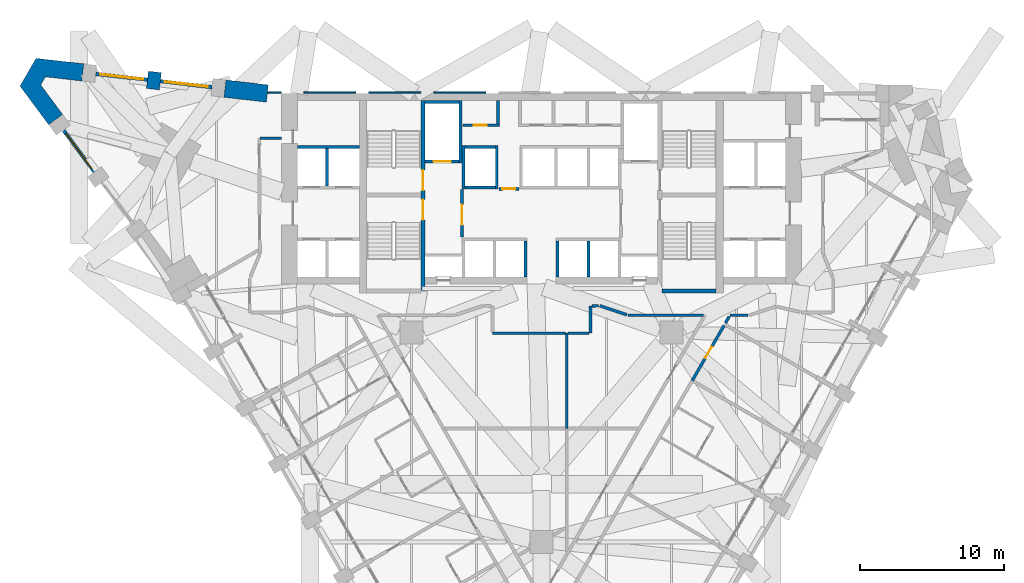
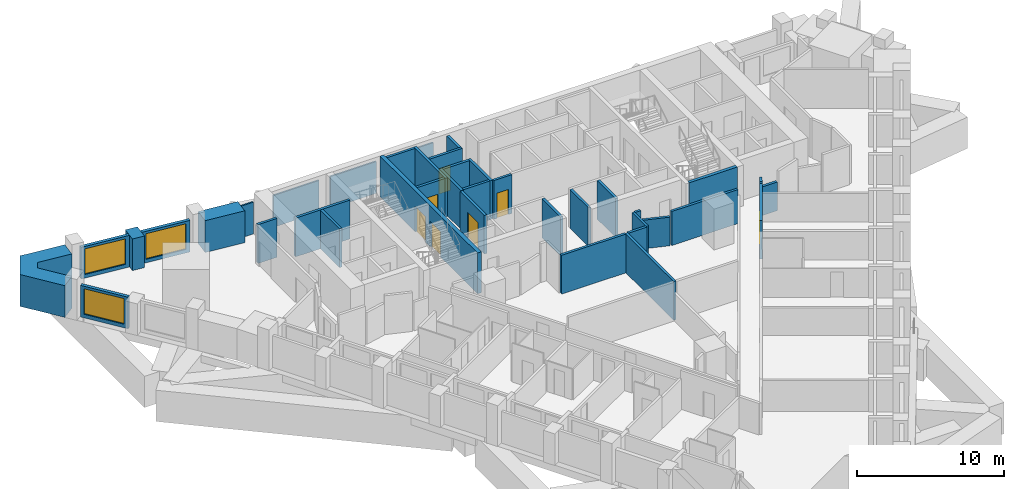
# One storey, part 8 of 12: 39 walls, 7 doors, 3 windows, 10 openings.
"""IFC4 building model written with IfcOpenShell, lengths in metres."""

from ifc_helpers import new_model, si_unit, direction, frame, frame_2d, origin, place, context, subcontext, project, spatial, polyline, rectangle, outline, extrude, material, layer, layer_set, type_object, element, fill, save


model = new_model("IFC4")

# Units and contexts
model_context = context("Model", 3, precision=1e-05, world=origin(), true_north=direction((0.0, 1.0)))
body_context = subcontext(model_context, "Body", "Model", "MODEL_VIEW")
ifc_project = project(units=[si_unit("LENGTHUNIT", "METRE"), si_unit("AREAUNIT", "SQUARE_METRE"), si_unit("VOLUMEUNIT", "CUBIC_METRE"), si_unit("PLANEANGLEUNIT", "RADIAN"), si_unit("MASSUNIT", "GRAM", prefix="KILO")], contexts=[model_context])

# Site, building, storey
site_placement = place(None, origin())
site = spatial("IfcSite", under=ifc_project, at=site_placement, CompositionType="ELEMENT")
building_placement = place(site_placement, origin())
building = spatial("IfcBuilding", under=site, at=building_placement, Name="Calabash Gate Tower", CompositionType="ELEMENT")
storey_placement = place(building_placement, frame((0.0, 0.0, 46.0)))
storey = spatial("IfcBuildingStorey", under=building, at=storey_placement, Name="L06", CompositionType="ELEMENT", Elevation=46.0)

# Walls
ifc_material_1 = material(Name="Terracotta brick masonry, exposed face", Category="masonry")
ifc_layer_1 = layer(ifc_material_1, 1.199951171875)
ifc_layer_set_1 = layer_set([ifc_layer_1], Name="Brick end wall 1200")
wall_type_1 = type_object("IfcWallType", Name="Brick end wall 1200", PredefinedType="SOLIDWALL", material=ifc_layer_set_1)
wall_1_placement = place(storey_placement, frame((-26.90625, 19.35400390625, 0.0), z_axis=(0.0, 0.0, 1.0), x_axis=(0.113936776845, 0.993488002385, 0.0)))
element("IfcWall", 1, at=wall_1_placement, inside=storey, type_object=wall_type_1, Name="Brick pier S01 wedge5.1", PredefinedType="SOLIDWALL", context=body_context, shape_type="SweptSolid", body=[
    extrude(rectangle(XDim=1.199951171875, YDim=0.89990234375, at=frame_2d((0.60009765625, 0.0))), origin(), (0.0, 0.0, 1.0), 2.6298828125),
])
wall_2_placement = place(storey_placement, frame((-21.919921875, 19.386962890625, 0.0), z_axis=(0.0, 0.0, 1.0), x_axis=(0.993507634887, -0.113765457942, 0.0)))
element("IfcWall", 2, at=wall_2_placement, inside=storey, type_object=wall_type_1, Name="Brick end wall S01 1", PredefinedType="SOLIDWALL", context=body_context, shape_type="SweptSolid", body=[
    extrude(rectangle(XDim=2.957275390625, YDim=1.199951171875, at=frame_2d((1.478515625, 0.0))), origin(), (0.0, 0.0, 1.0), 2.64990234375),
])
wall_3_placement = place(storey_placement, origin())
element("IfcWall", 3, at=wall_3_placement, inside=storey, type_object=wall_type_1, Name="Brick end wall S01 2", PredefinedType="SOLIDWALL", context=body_context, shape_type="SweptSolid", body=[
    extrude(outline(polyline([(-31.687744140625, 21.109375), (-34.99853515625, 21.48876953125), (-36.109130859375, 19.5654296875), (-34.125, 16.887451171875), (-33.160888671875, 17.601806640625), (-34.67626953125, 19.647216796875), (-34.35302734375, 20.206787109375), (-31.82421875, 19.917236328125), (-31.687744140625, 21.109375)])), origin(), (0.0, 0.0, 1.0), 2.64990234375),
])
ifc_material_2 = material(Name="Gypsum board on steel studs, mineral wool", Category="steel")
ifc_layer_2 = layer(ifc_material_2, 0.199951171875)
ifc_layer_set_2 = layer_set([ifc_layer_2], Name="Core partition 200 gypsum board")
wall_type_2 = type_object("IfcWallType", Name="Core partition 200 gypsum board", PredefinedType="PARTITIONING", material=ifc_layer_set_2)
wall_4_placement = place(storey_placement, frame((-3.0, 16.95263671875, 0.0), z_axis=(0.0, 0.0, 1.0), x_axis=(0.0, 1.0, 0.0)))
element("IfcWall", 4, at=wall_4_placement, inside=storey, type_object=wall_type_2, Name="Core partition", PredefinedType="PARTITIONING", context=body_context, shape_type="SweptSolid", body=[
    extrude(rectangle(XDim=1.599853515625, YDim=0.199951171875, at=frame_2d((0.7998046875, 0.0))), origin(), (0.0, 0.0, 1.0), 3.22998046875),
])
ifc_material_3 = material(Name="Concrete C80/95", Category="concrete")
ifc_layer_3 = layer(ifc_material_3, 0.25)
ifc_layer_set_3 = layer_set([ifc_layer_3], Name="Core wall 250 Concrete C80/95")
wall_type_3 = type_object("IfcWallType", Name="Core wall 250 Concrete C80/95", PredefinedType="SHEAR", material=ifc_layer_set_3)
wall_5_placement = place(storey_placement, frame((8.35009765625, 5.377685546875, 0.0), z_axis=(0.0, 0.0, 1.0), x_axis=(1.0, 0.0, 0.0)))
element("IfcWall", 5, at=wall_5_placement, inside=storey, type_object=wall_type_3, Name="Core wall Z1-SSE L06", PredefinedType="SHEAR", context=body_context, shape_type="SweptSolid", body=[
    extrude(rectangle(XDim=3.75, YDim=0.25, at=frame_2d((1.875, 0.0))), origin(), (0.0, 0.0, 1.0), 3.39990234375),
])

# Wall, openings, doors
ifc_material_4 = material(Name="Concrete C80/95", Category="concrete")
ifc_layer_4 = layer(ifc_material_4, 0.300048828125)
ifc_layer_set_4 = layer_set([ifc_layer_4], Name="Core wall 300 Concrete C80/95")
wall_type_4 = type_object("IfcWallType", Name="Core wall 300 Concrete C80/95", PredefinedType="SHEAR", material=ifc_layer_set_4)
wall_6_placement = place(storey_placement, frame((-8.199951171875, 5.252685546875, 0.0), z_axis=(0.0, 0.0, 1.0), x_axis=(0.0, 1.0, 0.0)))
wall_6 = element("IfcWall", 6, at=wall_6_placement, inside=storey, type_object=wall_type_4, Name="Core wall Z1-PARTW L06", PredefinedType="SHEAR", context=body_context, shape_type="SweptSolid", body=[
    extrude(rectangle(XDim=13.2998046875, YDim=0.300048828125, at=frame_2d((6.64990234375, 0.0))), origin(), (0.0, 0.0, 1.0), 3.39990234375),
])
opening_1_placement = place(wall_6_placement, frame((7.10009765625, 0.0, 0.0)))
opening_1 = element("IfcOpeningElement", 7, at=opening_1_placement, cuts=wall_6, Name="Opening H1-014", PredefinedType="OPENING", context=body_context, shape_type="SweptSolid", body=[
    extrude(rectangle(XDim=1.39990234375, YDim=2.10009765625, at=frame_2d((0.699951171875, 1.050048828125))), frame((0.0, 0.159912109375, 0.0), z_axis=(0.0, -1.0, 0.0), x_axis=(1.0, 0.0, 0.0)), (0.0, 0.0, 1.0), 0.320068359375),
])
opening_2_placement = place(wall_6_placement, frame((5.050048828125, 0.0, 0.0)))
opening_2 = element("IfcOpeningElement", 8, at=opening_2_placement, cuts=wall_6, Name="Opening H1-015", PredefinedType="OPENING", context=body_context, shape_type="SweptSolid", body=[
    extrude(rectangle(XDim=1.39990234375, YDim=2.10009765625, at=frame_2d((0.699951171875, 1.050048828125))), frame((0.0, 0.159912109375, 0.0), z_axis=(0.0, -1.0, 0.0), x_axis=(1.0, 0.0, 0.0)), (0.0, 0.0, 1.0), 0.320068359375),
])
ifc_material_5 = material(Name="Steel fire door set with fire-resisting glazing", Category="steel")
door_type_1 = type_object("IfcDoorType", Name="Fire door D05 1400x2100 FD90", OperationType="NOTDEFINED", PredefinedType="DOOR", material=ifc_material_5)
door_1_placement = place(opening_1_placement, origin())
door_1 = element("IfcDoor", 9, at=door_1_placement, inside=storey, type_object=door_type_1, Name="Exit stair door ST1", OperationType="SINGLE_SWING_LEFT", OverallHeight=2.10009765625, OverallWidth=1.39990234375, PredefinedType="DOOR", context=body_context, shape_type="SweptSolid", body=[
    extrude(rectangle(XDim=1.39990234375, YDim=2.10009765625, at=frame_2d((0.699951171875, 1.050048828125))), frame((0.0, 0.02490234375, 0.0), z_axis=(0.0, -1.0, 0.0), x_axis=(1.0, 0.0, 0.0)), (0.0, 0.0, 1.0), 0.050048828125),
])
fill(opening_1, door_1)
door_2_placement = place(opening_2_placement, origin())
door_2 = element("IfcDoor", 10, at=door_2_placement, inside=storey, type_object=door_type_1, Name="Exit stair door ST2", OperationType="SINGLE_SWING_LEFT", OverallHeight=2.10009765625, OverallWidth=1.39990234375, PredefinedType="DOOR", context=body_context, shape_type="SweptSolid", body=[
    extrude(rectangle(XDim=1.39990234375, YDim=2.10009765625, at=frame_2d((0.699951171875, 1.050048828125))), frame((0.0, 0.02490234375, 0.0), z_axis=(0.0, -1.0, 0.0), x_axis=(1.0, 0.0, 0.0)), (0.0, 0.0, 1.0), 0.050048828125),
])
fill(opening_2, door_2)

# Walls
ifc_material_6 = material(Name="Gypsum board on steel studs, mineral wool", Category="steel")
ifc_layer_5 = layer(ifc_material_6, 0.199951171875)
ifc_layer_set_5 = layer_set([ifc_layer_5], Name="Partition 200 gypsum board EI 60")
wall_type_5 = type_object("IfcWallType", Name="Partition 200 gypsum board EI 60", PredefinedType="PARTITIONING", material=ifc_layer_set_5)
wall_7_placement = place(storey_placement, frame((-3.400146484375, 2.452392578125, 0.0), z_axis=(0.0, 0.0, 1.0), x_axis=(0.99999994274, -0.000338409456, 0.0)))
element("IfcWall", 11, at=wall_7_placement, inside=storey, type_object=wall_type_5, Name="Partition", PredefinedType="PARTITIONING", context=body_context, shape_type="SweptSolid", body=[
    extrude(rectangle(XDim=5.050048828125, YDim=0.199951171875, at=frame_2d((2.52490234375, 0.0))), origin(), (0.0, 0.0, 1.0), 3.22998046875),
])
wall_8_placement = place(storey_placement, frame((1.750244140625, -4.15576171875, 0.0), z_axis=(0.0, 0.0, 1.0), x_axis=(0.000258617496, 0.999999966558, 0.0)))
element("IfcWall", 12, at=wall_8_placement, inside=storey, type_object=wall_type_5, Name="Partition", PredefinedType="PARTITIONING", context=body_context, shape_type="SweptSolid", body=[
    extrude(rectangle(XDim=6.608154296875, YDim=0.199951171875, at=frame_2d((3.30419921875, 0.0))), origin(), (0.0, 0.0, 1.0), 3.22998046875),
])
wall_9_placement = place(storey_placement, frame((1.85009765625, 2.45068359375, 0.0), z_axis=(0.0, 0.0, 1.0), x_axis=(0.999999305627, 0.00117845036, 0.0)))
element("IfcWall", 13, at=wall_9_placement, inside=storey, type_object=wall_type_5, Name="Partition", PredefinedType="PARTITIONING", context=body_context, shape_type="SweptSolid", body=[
    extrude(rectangle(XDim=1.4501953125, YDim=0.199951171875, at=frame_2d((0.72509765625, 0.0))), origin(), (0.0, 0.0, 1.0), 3.22998046875),
])

# Wall, opening, door
wall_10_placement = place(storey_placement, frame((10.43896484375, -0.828369140625, 0.0), z_axis=(0.0, 0.0, 1.0), x_axis=(0.500013981145, 0.866017331616, 0.0)))
wall_10 = element("IfcWall", 14, at=wall_10_placement, inside=storey, type_object=wall_type_5, Name="Partition", PredefinedType="PARTITIONING", context=body_context, shape_type="SweptSolid", body=[
    extrude(rectangle(XDim=4.397705078125, YDim=0.199951171875, at=frame_2d((2.19873046875, 0.0))), origin(), (0.0, 0.0, 1.0), 3.22998046875),
])
opening_3_placement = place(wall_10_placement, frame((1.798095703125, 0.0, 0.0)))
opening_3 = element("IfcOpeningElement", 15, at=opening_3_placement, cuts=wall_10, Name="Opening 06-08-013", PredefinedType="OPENING", context=body_context, shape_type="SweptSolid", body=[
    extrude(rectangle(XDim=0.89990234375, YDim=2.10009765625, at=frame_2d((0.449951171875, 1.050048828125))), frame((0.0, 0.10986328125, 0.0), z_axis=(0.0, -1.0, 0.0), x_axis=(1.0, 0.0, 0.0)), (0.0, 0.0, 1.0), 0.219970703125),
])
ifc_material_7 = material(Name="Steel fire door set with fire-resisting glazing", Category="steel")
door_type_2 = type_object("IfcDoorType", Name="SD3 Store door 900x2100", OperationType="NOTDEFINED", PredefinedType="DOOR", material=ifc_material_7)
door_3_placement = place(opening_3_placement, origin())
door_3 = element("IfcDoor", 16, at=door_3_placement, inside=storey, type_object=door_type_2, Name="Store door", OperationType="SINGLE_SWING_LEFT", OverallHeight=2.10009765625, OverallWidth=0.89990234375, PredefinedType="DOOR", context=body_context, shape_type="SweptSolid", body=[
    extrude(rectangle(XDim=0.89990234375, YDim=2.10009765625, at=frame_2d((0.449951171875, 1.050048828125))), frame((0.0, 0.02490234375, 0.0), z_axis=(0.0, -1.0, 0.0), x_axis=(1.0, 0.0, 0.0)), (0.0, 0.0, 1.0), 0.050048828125),
])
fill(opening_3, door_3)

# Walls
wall_11_placement = place(storey_placement, frame((12.738037109375, 3.154052734375, 0.0), z_axis=(0.0, 0.0, 1.0), x_axis=(0.497976793054, 0.867190356023, 0.0)))
element("IfcWall", 17, at=wall_11_placement, inside=storey, type_object=wall_type_5, Name="Partition", PredefinedType="PARTITIONING", context=body_context, shape_type="SweptSolid", body=[
    extrude(rectangle(XDim=0.529052734375, YDim=0.199951171875, at=frame_2d((0.2646484375, 0.0))), origin(), (0.0, 0.0, 1.0), 3.22998046875),
])
wall_12_placement = place(storey_placement, frame((6.0, 3.69970703125, 0.0), z_axis=(0.0, 0.0, 1.0), x_axis=(1.0, 0.0, 0.0)))
element("IfcWall", 18, at=wall_12_placement, inside=storey, type_object=wall_type_5, Name="Partition", PredefinedType="PARTITIONING", context=body_context, shape_type="SweptSolid", body=[
    extrude(rectangle(XDim=5.21875, YDim=0.199951171875, at=frame_2d((2.609375, 0.0))), origin(), (0.0, 0.0, 1.0), 2.83154296875),
])
wall_13_placement = place(storey_placement, frame((13.051513671875, 3.699462890625, 0.0), z_axis=(0.0, 0.0, 1.0), x_axis=(1.0, 0.0, 0.0)))
element("IfcWall", 19, at=wall_13_placement, inside=storey, type_object=wall_type_5, Name="Partition", PredefinedType="PARTITIONING", context=body_context, shape_type="SweptSolid", body=[
    extrude(rectangle(XDim=1.24853515625, YDim=0.199951171875, at=frame_2d((0.624267578125, 0.0))), origin(), (0.0, 0.0, 1.0), 2.384033203125),
])
wall_14_placement = place(storey_placement, frame((4.042236328125, 4.352294921875, 0.0), z_axis=(0.0, 0.0, 1.0), x_axis=(0.948695731075, -0.316190464499, 0.0)))
element("IfcWall", 20, at=wall_14_placement, inside=storey, type_object=wall_type_5, Name="Partition", PredefinedType="PARTITIONING", context=body_context, shape_type="SweptSolid", body=[
    extrude(rectangle(XDim=1.963623046875, YDim=0.199951171875, at=frame_2d((0.98193359375, 0.0))), origin(), (0.0, 0.0, 1.0), 2.384033203125),
])
wall_15_placement = place(storey_placement, frame((3.400146484375, 2.452392578125, 0.0), z_axis=(0.0, 0.0, 1.0), x_axis=(0.001028938362, 0.999999470643, 0.0)))
element("IfcWall", 21, at=wall_15_placement, inside=storey, type_object=wall_type_5, Name="Partition", PredefinedType="PARTITIONING", context=body_context, shape_type="SweptSolid", body=[
    extrude(rectangle(XDim=1.898193359375, YDim=0.199951171875, at=frame_2d((0.94921875, 0.0))), origin(), (0.0, 0.0, 1.0), 3.22998046875),
])
wall_16_placement = place(storey_placement, frame((3.501953125, 4.350830078125, 0.0), z_axis=(0.0, 0.0, 1.0), x_axis=(0.999996159087, 0.00277160798, 0.0)))
element("IfcWall", 22, at=wall_16_placement, inside=storey, type_object=wall_type_5, Name="Partition", PredefinedType="PARTITIONING", context=body_context, shape_type="SweptSolid", body=[
    extrude(rectangle(XDim=0.4404296875, YDim=0.199951171875, at=frame_2d((0.22021484375, 0.0))), origin(), (0.0, 0.0, 1.0), 3.22998046875),
])
wall_17_placement = place(storey_placement, frame((-19.50048828125, 15.95263671875, 0.0), z_axis=(0.0, 0.0, 1.0), x_axis=(0.999999152842, 0.001301658513, 0.0)))
element("IfcWall", 23, at=wall_17_placement, inside=storey, type_object=wall_type_5, Name="Partition", PredefinedType="PARTITIONING", context=body_context, shape_type="SweptSolid", body=[
    extrude(rectangle(XDim=1.50048828125, YDim=0.199951171875, at=frame_2d((0.750244140625, 0.0))), origin(), (0.0, 0.0, 1.0), 3.22998046875),
])

# Wall, opening, window
ifc_material_8 = material(Name="Aluminium framed window wall with insulated spandrel", Category="aluminium")
ifc_layer_6 = layer(ifc_material_8, 0.25)
ifc_layer_set_6 = layer_set([ifc_layer_6], Name="Prow window wall 250")
wall_type_6 = type_object("IfcWallType", Name="Prow window wall 250", PredefinedType="ELEMENTEDWALL", material=ifc_layer_set_6)
wall_18_placement = place(storey_placement, frame((-22.814208984375, 19.4892578125, 0.0), z_axis=(0.0, 0.0, 1.0), x_axis=(-0.993504225498, 0.113795228013, 0.0)))
wall_18 = element("IfcWall", 24, at=wall_18_placement, inside=storey, type_object=wall_type_6, Name="Prow window wall S01 wedge5.1", PredefinedType="ELEMENTEDWALL", context=body_context, shape_type="SweptSolid", body=[
    extrude(rectangle(XDim=3.60009765625, YDim=0.25, at=frame_2d((1.800048828125, 0.0))), origin(), (0.0, 0.0, 1.0), 2.6298828125),
])
opening_4_placement = place(wall_18_placement, frame((0.300048828125, 0.0, 0.300048828125)))
opening_4 = element("IfcOpeningElement", 25, at=opening_4_placement, cuts=wall_18, Name="Opening WP1L-2130", PredefinedType="OPENING", context=body_context, shape_type="SweptSolid", body=[
    extrude(rectangle(XDim=3.0, YDim=2.1298828125, at=frame_2d((1.5, 1.06494140625))), frame((0.0, 0.135009765625, 0.0), z_axis=(0.0, -1.0, 0.0), x_axis=(1.0, 0.0, 0.0)), (0.0, 0.0, 1.0), 0.27001953125),
])
ifc_material_9 = material(Name="Anodised aluminium frame, bronze finish, impact-rated laminated clear glazing", Category="aluminium")
window_type = type_object("IfcWindowType", Name="Window WP1L 3000x2130", PartitioningType="DOUBLE_PANEL_VERTICAL", PredefinedType="WINDOW", material=ifc_material_9)
window_1_placement = place(opening_4_placement, origin())
window_1 = element("IfcWindow", 26, at=window_1_placement, inside=storey, type_object=window_type, Name="Prow window WP1L S01 wedge5.1", OverallHeight=2.1298828125, OverallWidth=3.0, PartitioningType="SINGLE_PANEL", PredefinedType="WINDOW", context=body_context, shape_type="SweptSolid", body=[
    extrude(rectangle(XDim=3.0, YDim=2.1298828125, at=frame_2d((1.5, 1.06494140625))), frame((0.0, 0.030029296875, 0.0), z_axis=(0.0, -1.0, 0.0), x_axis=(1.0, 0.0, 0.0)), (0.0, 0.0, 1.0), 0.06005859375),
])
fill(opening_4, window_1)

wall_19_placement = place(storey_placement, frame((-27.284912109375, 20.00146484375, 0.0), z_axis=(0.0, 0.0, 1.0), x_axis=(-0.993511890309, 0.113728289423, 0.0)))
wall_19 = element("IfcWall", 27, at=wall_19_placement, inside=storey, type_object=wall_type_6, Name="Prow window wall S01 wedge5.2", PredefinedType="ELEMENTEDWALL", context=body_context, shape_type="SweptSolid", body=[
    extrude(rectangle(XDim=3.60009765625, YDim=0.25, at=frame_2d((1.800048828125, 0.0))), origin(), (0.0, 0.0, 1.0), 2.6298828125),
])
opening_5_placement = place(wall_19_placement, frame((0.300048828125, 0.0, 0.300048828125)))
opening_5 = element("IfcOpeningElement", 28, at=opening_5_placement, cuts=wall_19, Name="Opening WP1L-2130", PredefinedType="OPENING", context=body_context, shape_type="SweptSolid", body=[
    extrude(rectangle(XDim=3.0, YDim=2.1298828125, at=frame_2d((1.5, 1.06494140625))), frame((0.0, 0.135009765625, 0.0), z_axis=(0.0, -1.0, 0.0), x_axis=(1.0, 0.0, 0.0)), (0.0, 0.0, 1.0), 0.27001953125),
])
window_2_placement = place(opening_5_placement, origin())
window_2 = element("IfcWindow", 29, at=window_2_placement, inside=storey, type_object=window_type, Name="Prow window WP1L S01 wedge5.2", OverallHeight=2.1298828125, OverallWidth=3.0, PartitioningType="SINGLE_PANEL", PredefinedType="WINDOW", context=body_context, shape_type="SweptSolid", body=[
    extrude(rectangle(XDim=3.0, YDim=2.1298828125, at=frame_2d((1.5, 1.06494140625))), frame((0.0, 0.030029296875, 0.0), z_axis=(0.0, -1.0, 0.0), x_axis=(1.0, 0.0, 0.0)), (0.0, 0.0, 1.0), 0.06005859375),
])
fill(opening_5, window_2)

wall_20_placement = place(storey_placement, frame((-33.077392578125, 16.481201171875, 0.0), z_axis=(0.0, 0.0, 1.0), x_axis=(0.595304805086, -0.803499962067, 0.0)))
wall_20 = element("IfcWall", 30, at=wall_20_placement, inside=storey, type_object=wall_type_6, Name="Prow window wall S01 wedge7.1", PredefinedType="ELEMENTEDWALL", context=body_context, shape_type="SweptSolid", body=[
    extrude(rectangle(XDim=3.552001953125, YDim=0.25, at=frame_2d((1.77587890625, 0.0))), origin(), (0.0, 0.0, 1.0), 2.6298828125),
])
opening_6_placement = place(wall_20_placement, frame((0.25, 0.0, 0.300048828125)))
opening_6 = element("IfcOpeningElement", 31, at=opening_6_placement, cuts=wall_20, Name="Opening WP1L-2130", PredefinedType="OPENING", context=body_context, shape_type="SweptSolid", body=[
    extrude(rectangle(XDim=3.0, YDim=2.1298828125, at=frame_2d((1.5, 1.06494140625))), frame((0.0, 0.135009765625, 0.0), z_axis=(0.0, -1.0, 0.0), x_axis=(1.0, 0.0, 0.0)), (0.0, 0.0, 1.0), 0.27001953125),
])
window_3_placement = place(opening_6_placement, origin())
window_3 = element("IfcWindow", 32, at=window_3_placement, inside=storey, type_object=window_type, Name="Prow window WP1L S01 wedge7.1", OverallHeight=2.1298828125, OverallWidth=3.0, PartitioningType="SINGLE_PANEL", PredefinedType="WINDOW", context=body_context, shape_type="SweptSolid", body=[
    extrude(rectangle(XDim=3.0, YDim=2.1298828125, at=frame_2d((1.5, 1.06494140625))), frame((0.0, 0.030029296875, 0.0), z_axis=(0.0, -1.0, 0.0), x_axis=(1.0, 0.0, 0.0)), (0.0, 0.0, 1.0), 0.06005859375),
])
fill(opening_6, window_3)

# Walls
ifc_material_10 = material(Name="Concrete C40/50", Category="concrete")
ifc_layer_7 = layer(ifc_material_10, 0.199951171875)
ifc_layer_set_7 = layer_set([ifc_layer_7], Name="Shaft wall 200 Concrete C40/50")
wall_type_7 = type_object("IfcWallType", Name="Shaft wall 200 Concrete C40/50", PredefinedType="SOLIDWALL", material=ifc_layer_set_7)
for number, where, z_axis, x_axis, name in (
    (33, (-1.10009765625, 6.3525390625, 0.0), (0.0, 0.0, 1.0), (0.0, 1.0, 0.0), "Shaft wall"),
    (34, (1.10009765625, 6.3525390625, 0.0), (0.0, 0.0, 1.0), (0.0, 1.0, 0.0), "Shaft wall"),
    (35, (3.25, 6.3525390625, 0.0), (0.0, 0.0, 1.0), (0.0, 1.0, 0.0), "Shaft wall"),
):
    element("IfcWall", number, at=place(storey_placement, frame(where, z_axis=z_axis, x_axis=x_axis)), inside=storey, type_object=wall_type_7, Name=name, PredefinedType="SOLIDWALL", context=body_context, shape_type="SweptSolid", body=[
        extrude(rectangle(XDim=2.5, YDim=0.199951171875, at=frame_2d((1.25, 0.0))), origin(), (0.0, 0.0, 1.0), 3.22998046875),
    ])

# Wall, opening, door
wall_21_placement = place(storey_placement, frame((-5.5, 9.1025390625, 0.0), z_axis=(0.0, 0.0, 1.0), x_axis=(0.0, 1.0, 0.0)))
wall_21 = element("IfcWall", 36, at=wall_21_placement, inside=storey, type_object=wall_type_7, Name="Shaft wall", PredefinedType="SOLIDWALL", context=body_context, shape_type="SweptSolid", body=[
    extrude(rectangle(XDim=3.300048828125, YDim=0.199951171875, at=frame_2d((1.64990234375, 0.0))), origin(), (0.0, 0.0, 1.0), 3.22998046875),
])
opening_7_placement = place(wall_21_placement, frame((0.85009765625, 0.0, 0.0)))
opening_7 = element("IfcOpeningElement", 37, at=opening_7_placement, cuts=wall_21, Name="Opening H1-007", PredefinedType="OPENING", context=body_context, shape_type="SweptSolid", body=[
    extrude(rectangle(XDim=1.39990234375, YDim=2.10009765625, at=frame_2d((0.699951171875, 1.050048828125))), frame((0.0, 0.10986328125, 0.0), z_axis=(0.0, -1.0, 0.0), x_axis=(1.0, 0.0, 0.0)), (0.0, 0.0, 1.0), 0.219970703125),
])
door_4_placement = place(opening_7_placement, origin())
door_4 = element("IfcDoor", 38, at=door_4_placement, inside=storey, type_object=door_type_1, Name="Firefighting Lobby W door", OperationType="SINGLE_SWING_RIGHT", OverallHeight=2.10009765625, OverallWidth=1.39990234375, PredefinedType="DOOR", context=body_context, shape_type="SweptSolid", body=[
    extrude(rectangle(XDim=1.39990234375, YDim=2.10009765625, at=frame_2d((0.699951171875, 1.050048828125))), frame((0.0, 0.02490234375, 0.0), z_axis=(0.0, -1.0, 0.0), x_axis=(1.0, 0.0, 0.0)), (0.0, 0.0, 1.0), 0.050048828125),
])
fill(opening_7, door_4)

wall_22_placement = place(storey_placement, frame((-2.949951171875, 12.45263671875, 0.0), z_axis=(0.0, 0.0, 1.0), x_axis=(1.0, 0.0, 0.0)))
wall_22 = element("IfcWall", 39, at=wall_22_placement, inside=storey, type_object=wall_type_7, Name="Shaft wall", PredefinedType="SOLIDWALL", context=body_context, shape_type="SweptSolid", body=[
    extrude(rectangle(XDim=1.39990234375, YDim=0.199951171875, at=frame_2d((0.699951171875, 0.0))), origin(), (0.0, 0.0, 1.0), 3.22998046875),
])
opening_8_placement = place(wall_22_placement, frame((0.25, 0.0, 0.0)))
opening_8 = element("IfcOpeningElement", 40, at=opening_8_placement, cuts=wall_22, Name="Opening H1-005", PredefinedType="OPENING", context=body_context, shape_type="SweptSolid", body=[
    extrude(rectangle(XDim=0.89990234375, YDim=2.10009765625, at=frame_2d((0.449951171875, 1.050048828125))), frame((0.0, 0.10986328125, 0.0), z_axis=(0.0, -1.0, 0.0), x_axis=(1.0, 0.0, 0.0)), (0.0, 0.0, 1.0), 0.219970703125),
])
ifc_material_11 = material(Name="Steel fire door set with fire-resisting glazing", Category="steel")
door_type_3 = type_object("IfcDoorType", Name="Fire door D06 900x2100 FD60", OperationType="NOTDEFINED", PredefinedType="DOOR", material=ifc_material_11)
door_5_placement = place(opening_8_placement, origin())
door_5 = element("IfcDoor", 41, at=door_5_placement, inside=storey, type_object=door_type_3, Name="Service Corridor door", OperationType="SINGLE_SWING_RIGHT", OverallHeight=2.10009765625, OverallWidth=0.89990234375, PredefinedType="DOOR", context=body_context, shape_type="SweptSolid", body=[
    extrude(rectangle(XDim=0.89990234375, YDim=2.10009765625, at=frame_2d((0.449951171875, 1.050048828125))), frame((0.0, 0.02490234375, 0.0), z_axis=(0.0, -1.0, 0.0), x_axis=(1.0, 0.0, 0.0)), (0.0, 0.0, 1.0), 0.050048828125),
])
fill(opening_8, door_5)

# Walls
wall_23_placement = place(storey_placement, frame((-5.39990234375, 12.45263671875, 0.0), z_axis=(0.0, 0.0, 1.0), x_axis=(0.0, 1.0, 0.0)))
element("IfcWall", 42, at=wall_23_placement, inside=storey, type_object=wall_type_7, Name="Shaft wall", PredefinedType="SOLIDWALL", context=body_context, shape_type="SweptSolid", body=[
    extrude(rectangle(XDim=3.0, YDim=0.199951171875, at=frame_2d((1.5, 0.0))), origin(), (0.0, 0.0, 1.0), 3.22998046875),
])
wall_24_placement = place(storey_placement, frame((-5.300048828125, 12.552490234375, 0.0), z_axis=(0.0, 0.0, 1.0), x_axis=(1.0, 0.0, 0.0)))
element("IfcWall", 43, at=wall_24_placement, inside=storey, type_object=wall_type_7, Name="Shaft wall", PredefinedType="SOLIDWALL", context=body_context, shape_type="SweptSolid", body=[
    extrude(rectangle(XDim=2.10009765625, YDim=0.199951171875, at=frame_2d((1.050048828125, 0.0))), origin(), (0.0, 0.0, 1.0), 3.22998046875),
])
wall_25_placement = place(storey_placement, frame((-3.10009765625, 12.45263671875, 0.0), z_axis=(0.0, 0.0, 1.0), x_axis=(0.0, 1.0, 0.0)))
element("IfcWall", 44, at=wall_25_placement, inside=storey, type_object=wall_type_7, Name="Shaft wall", PredefinedType="SOLIDWALL", context=body_context, shape_type="SweptSolid", body=[
    extrude(rectangle(XDim=3.0, YDim=0.199951171875, at=frame_2d((1.5, 0.0))), origin(), (0.0, 0.0, 1.0), 3.22998046875),
])
wall_26_placement = place(storey_placement, frame((-14.85009765625, 12.652587890625, 0.0), z_axis=(0.0, 0.0, 1.0), x_axis=(0.0, 1.0, 0.0)))
element("IfcWall", 45, at=wall_26_placement, inside=storey, type_object=wall_type_7, Name="Shaft wall", PredefinedType="SOLIDWALL", context=body_context, shape_type="SweptSolid", body=[
    extrude(rectangle(XDim=2.60009765625, YDim=0.199951171875, at=frame_2d((1.300048828125, 0.0))), origin(), (0.0, 0.0, 1.0), 3.22998046875),
])

# Wall, opening, door
wall_27_placement = place(storey_placement, frame((-8.050048828125, 14.3525390625, 0.0), z_axis=(0.0, 0.0, 1.0), x_axis=(1.0, 0.0, 0.0)))
wall_27 = element("IfcWall", 46, at=wall_27_placement, inside=storey, type_object=wall_type_7, Name="Shaft wall", PredefinedType="SOLIDWALL", context=body_context, shape_type="SweptSolid", body=[
    extrude(rectangle(XDim=2.35009765625, YDim=0.199951171875, at=frame_2d((1.175048828125, 0.0))), origin(), (0.0, 0.0, 1.0), 3.22998046875),
])
opening_9_placement = place(wall_27_placement, frame((0.574951171875, 0.0, 0.0)))
opening_9 = element("IfcOpeningElement", 47, at=opening_9_placement, cuts=wall_27, Name="Opening LD-FF1", PredefinedType="OPENING", context=body_context, shape_type="SweptSolid", body=[
    extrude(rectangle(XDim=1.199951171875, YDim=2.10009765625, at=frame_2d((0.60009765625, 1.050048828125))), frame((0.0, 0.10986328125, 0.0), z_axis=(0.0, -1.0, 0.0), x_axis=(1.0, 0.0, 0.0)), (0.0, 0.0, 1.0), 0.219970703125),
])
ifc_material_12 = material(Name="Stainless steel sliding door leaves", Category="steel")
door_type_4 = type_object("IfcDoorType", Name="Lift landing door LS3 1200x2100 FD90", OperationType="DOUBLE_DOOR_SLIDING", PredefinedType="DOOR", material=ifc_material_12)
door_6_placement = place(opening_9_placement, origin())
door_6 = element("IfcDoor", 48, at=door_6_placement, inside=storey, type_object=door_type_4, Name="Lift landing door FF1", OperationType="DOUBLE_DOOR_SLIDING", OverallHeight=2.10009765625, OverallWidth=1.199951171875, PredefinedType="DOOR", context=body_context, shape_type="SweptSolid", body=[
    extrude(rectangle(XDim=1.199951171875, YDim=2.10009765625, at=frame_2d((0.60009765625, 1.050048828125))), frame((0.0, 0.02490234375, 0.0), z_axis=(0.0, -1.0, 0.0), x_axis=(1.0, 0.0, 0.0)), (0.0, 0.0, 1.0), 0.050048828125),
])
fill(opening_9, door_6)

# Walls
for number, where, z_axis, x_axis, name in (
    (49, (-5.60009765625, 14.252685546875, 0.0), (0.0, 0.0, 1.0), (0.0, 1.0, 0.0), "Shaft wall"),
    (50, (-16.89990234375, 15.3525390625, 0.0), (0.0, 0.0, 1.0), (1.0, 0.0, 0.0), "Shaft wall"),
):
    element("IfcWall", number, at=place(storey_placement, frame(where, z_axis=z_axis, x_axis=x_axis)), inside=storey, type_object=wall_type_7, Name=name, PredefinedType="SOLIDWALL", context=body_context, shape_type="SweptSolid", body=[
        extrude(rectangle(XDim=4.2998046875, YDim=0.199951171875, at=frame_2d((2.14990234375, 0.0))), origin(), (0.0, 0.0, 1.0), 3.22998046875),
    ])
wall_28_placement = place(storey_placement, frame((-5.300048828125, 15.3525390625, 0.0), z_axis=(0.0, 0.0, 1.0), x_axis=(1.0, 0.0, 0.0)))
element("IfcWall", 51, at=wall_28_placement, inside=storey, type_object=wall_type_7, Name="Shaft wall", PredefinedType="SOLIDWALL", context=body_context, shape_type="SweptSolid", body=[
    extrude(rectangle(XDim=2.10009765625, YDim=0.199951171875, at=frame_2d((1.050048828125, 0.0))), origin(), (0.0, 0.0, 1.0), 3.22998046875),
])

# Wall, opening, door
wall_29_placement = place(storey_placement, frame((-5.449951171875, 16.8525390625, 0.0), z_axis=(0.0, 0.0, 1.0), x_axis=(1.0, 0.0, 0.0)))
wall_29 = element("IfcWall", 52, at=wall_29_placement, inside=storey, type_object=wall_type_7, Name="Shaft wall", PredefinedType="SOLIDWALL", context=body_context, shape_type="SweptSolid", body=[
    extrude(rectangle(XDim=2.550048828125, YDim=0.199951171875, at=frame_2d((1.27490234375, 0.0))), origin(), (0.0, 0.0, 1.0), 3.22998046875),
])
opening_10_placement = place(wall_29_placement, frame((0.75, 0.0, 0.0)))
opening_10 = element("IfcOpeningElement", 53, at=opening_10_placement, cuts=wall_29, Name="Opening H1-008", PredefinedType="OPENING", context=body_context, shape_type="SweptSolid", body=[
    extrude(rectangle(XDim=0.89990234375, YDim=2.10009765625, at=frame_2d((0.449951171875, 1.050048828125))), frame((0.0, 0.10986328125, 0.0), z_axis=(0.0, -1.0, 0.0), x_axis=(1.0, 0.0, 0.0)), (0.0, 0.0, 1.0), 0.219970703125),
])
door_7_placement = place(opening_10_placement, origin())
door_7 = element("IfcDoor", 54, at=door_7_placement, inside=storey, type_object=door_type_3, Name="Housekeeping Store door", OperationType="SINGLE_SWING_LEFT", OverallHeight=2.10009765625, OverallWidth=0.89990234375, PredefinedType="DOOR", context=body_context, shape_type="SweptSolid", body=[
    extrude(rectangle(XDim=0.89990234375, YDim=2.10009765625, at=frame_2d((0.449951171875, 1.050048828125))), frame((0.0, 0.02490234375, 0.0), z_axis=(0.0, -1.0, 0.0), x_axis=(1.0, 0.0, 0.0)), (0.0, 0.0, 1.0), 0.050048828125),
])
fill(opening_10, door_7)

# Walls
wall_30_placement = place(storey_placement, frame((-8.050048828125, 18.45263671875, 0.0), z_axis=(0.0, 0.0, 1.0), x_axis=(1.0, 0.0, 0.0)))
element("IfcWall", 55, at=wall_30_placement, inside=storey, type_object=wall_type_7, Name="Shaft wall", PredefinedType="SOLIDWALL", context=body_context, shape_type="SweptSolid", body=[
    extrude(rectangle(XDim=2.35009765625, YDim=0.199951171875, at=frame_2d((1.175048828125, 0.0))), origin(), (0.0, 0.0, 1.0), 3.22998046875),
])
ifc_material_13 = material(Name="Terracotta brick masonry, perforated", Category="masonry")
ifc_layer_8 = layer(ifc_material_13, 0.1201171875)
ifc_layer_set_8 = layer_set([ifc_layer_8], Name="Terracotta jaali cladding A 120")
wall_type_8 = type_object("IfcWallType", Name="Terracotta jaali cladding A 120", PredefinedType="SOLIDWALL", material=ifc_layer_set_8)
wall_31_placement = place(storey_placement, origin())
element("IfcWall", 56, at=wall_31_placement, inside=storey, type_object=wall_type_8, Name="Jaali cladding S01 N4.7", PredefinedType="SOLIDWALL", context=body_context, shape_type="SweptSolid", body=[
    extrude(outline(polyline([(-7.449951171875, 19.172607421875), (-7.449951171875, 19.052490234375), (-3.85009765625, 19.052490234375), (-3.85009765625, 19.172607421875), (-7.449951171875, 19.172607421875)])), origin(), (0.0, 0.0, 1.0), 2.64990234375),
])
wall_32_placement = place(storey_placement, origin())
element("IfcWall", 57, at=wall_32_placement, inside=storey, type_object=wall_type_8, Name="Jaali cladding S01 N4.9", PredefinedType="SOLIDWALL", context=body_context, shape_type="SweptSolid", body=[
    extrude(outline(polyline([(-16.449951171875, 19.172607421875), (-16.449951171875, 19.052490234375), (-12.85009765625, 19.052490234375), (-12.85009765625, 19.172607421875), (-16.449951171875, 19.172607421875)])), origin(), (0.0, 0.0, 1.0), 2.64990234375),
])
wall_33_placement = place(storey_placement, frame((-18.969970703125, 19.112548828125, 0.0), z_axis=(0.0, 0.0, 1.0), x_axis=(1.0, 0.0, 0.0)))
element("IfcWall", 58, at=wall_33_placement, inside=storey, type_object=wall_type_8, Name="Jaali cladding S01 N4.c1", PredefinedType="SOLIDWALL", context=body_context, shape_type="SweptSolid", body=[
    extrude(rectangle(XDim=0.93994140625, YDim=0.1201171875, at=frame_2d((0.469970703125, 0.0))), origin(), (0.0, 0.0, 1.0), 2.64990234375),
])
ifc_material_14 = material(Name="Terracotta louvre blades in an aluminium frame", Category="masonry")
ifc_layer_9 = layer(ifc_material_14, 0.1201171875)
ifc_layer_set_9 = layer_set([ifc_layer_9], Name="Terracotta vent louvre cladding 120")
wall_type_9 = type_object("IfcWallType", Name="Terracotta vent louvre cladding 120", PredefinedType="ELEMENTEDWALL", material=ifc_layer_set_9)
wall_34_placement = place(storey_placement, origin())
element("IfcWall", 59, at=wall_34_placement, inside=storey, type_object=wall_type_9, Name="Vent louvre cladding S01 N4.8", PredefinedType="ELEMENTEDWALL", context=body_context, shape_type="SweptSolid", body=[
    extrude(outline(polyline([(-11.949951171875, 19.172607421875), (-11.949951171875, 19.052490234375), (-8.35009765625, 19.052490234375), (-8.35009765625, 19.172607421875), (-11.949951171875, 19.172607421875)])), origin(), (0.0, 0.0, 1.0), 2.64990234375),
])

save(model, "model.ifc")
